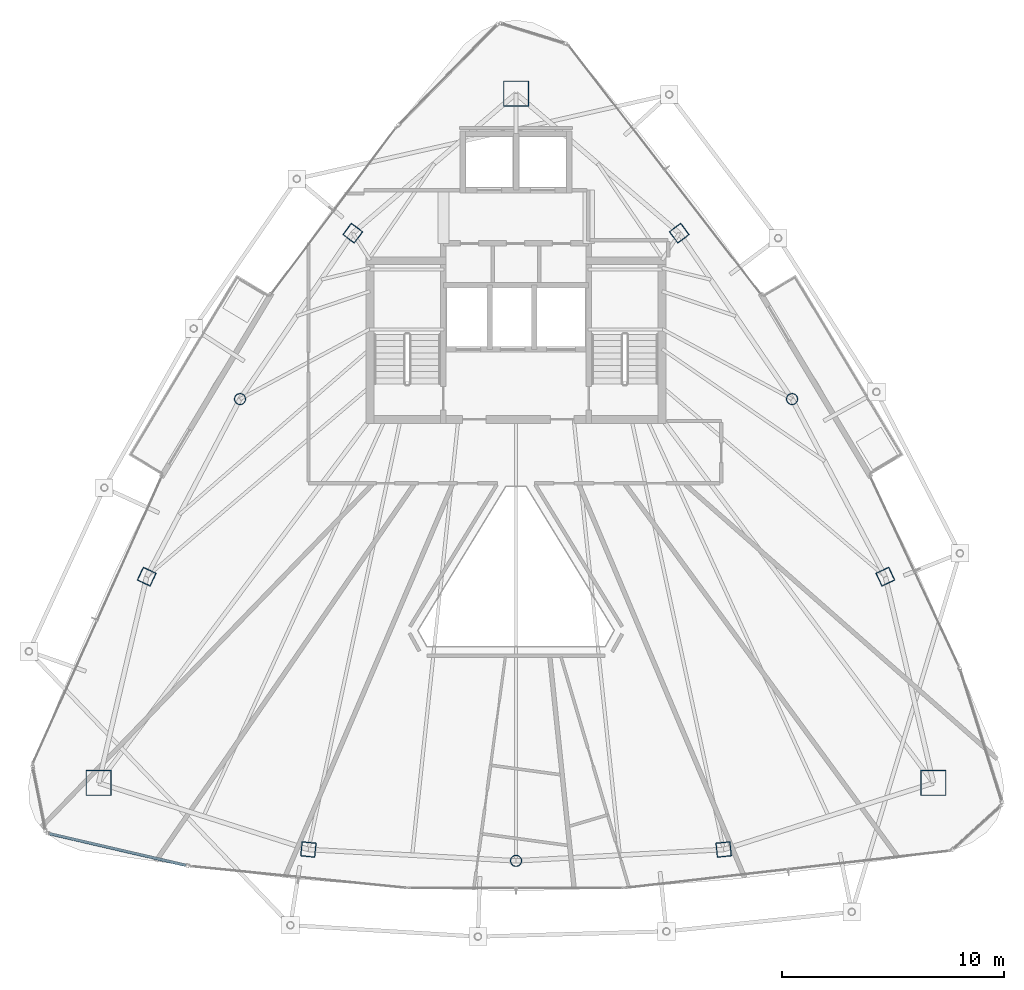
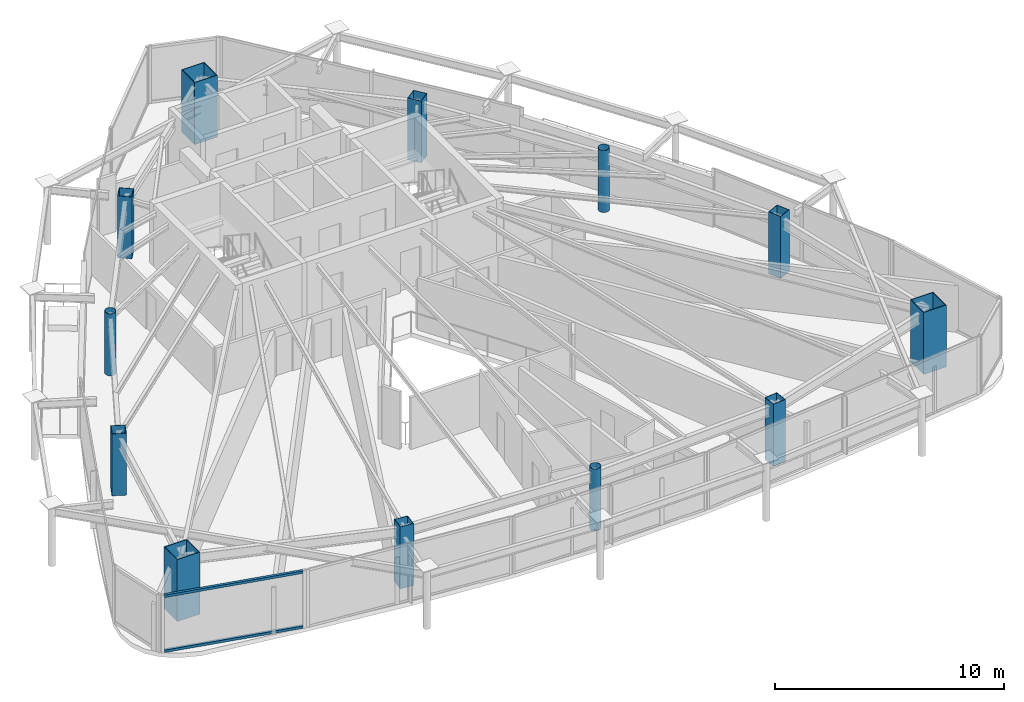
# One storey, part 1 of 28: 12 columns, 2 members, 1 element without a shape of its own.
"""IFC4 building model written with IfcOpenShell, lengths in metres."""

from ifc_helpers import new_model, si_unit, direction, frame, origin, origin_2d, place, context, subcontext, project, spatial, hollow_rectangle, hollow_circle, extrude, material, layer, layer_set, material_profile, profile_set, type_object, element, aggregate, save


model = new_model("IFC4")

# Units and contexts
model_context = context("Model", 3, precision=1e-05, world=origin(), true_north=direction((0.0, 1.0)))
body_context = subcontext(model_context, "Body", "Model", "MODEL_VIEW")
ifc_project = project(units=[si_unit("LENGTHUNIT", "METRE"), si_unit("AREAUNIT", "SQUARE_METRE"), si_unit("VOLUMEUNIT", "CUBIC_METRE"), si_unit("PLANEANGLEUNIT", "RADIAN"), si_unit("MASSUNIT", "GRAM", prefix="KILO")], contexts=[model_context])

# Site, building, storey
site_placement = place(None, origin())
site = spatial("IfcSite", under=ifc_project, at=site_placement, CompositionType="ELEMENT")
building_placement = place(site_placement, origin())
building = spatial("IfcBuilding", under=site, at=building_placement, Name="Orvanel Arch Residences", CompositionType="ELEMENT")
storey_placement = place(building_placement, frame((0.0, 0.0, 266.75)))
storey = spatial("IfcBuildingStorey", under=building, at=storey_placement, Name="L76", CompositionType="ELEMENT", Elevation=266.75)

# Columns
ifc_material_1 = material(Name="Structural steel AS/NZS 1163 C350L0 (Grade 350)", Category="steel")
ifc_material_profile_1 = material_profile(ifc_material_1, hollow_circle(Radius=0.25390625, WallThickness=0.01611328125, at=origin_2d()), Name="CHS508x16")
ifc_profile_set_1 = profile_set([ifc_material_profile_1], Name="Structural steel AS/NZS 1163 C350L0 (Grade 350)")
column_type_1 = type_object("IfcColumnType", Name="CC-508", PredefinedType="COLUMN", material=ifc_profile_set_1)
for number, where, z_axis, x_axis, name in (
    (1, (20.569091796875, 27.64111328125, 0.0), (0.0, 0.0, 1.0), (1.0, 0.0, 0.0), "L76 High-Rise Tube Column 02"),
    (2, (33.0, 6.843994140625, 0.0), (0.0, 0.0, 1.0), (1.0, 0.0, 0.0), "L76 High-Rise Tube Column 05"),
    (3, (45.430908203125, 27.64111328125, 0.0), (0.0, 0.0, 1.0), (1.0, 0.0, 0.0), "L76 High-Rise Tube Column 08"),
):
    element("IfcColumn", number, at=place(storey_placement, frame(where, z_axis=z_axis, x_axis=x_axis)), inside=storey, type_object=column_type_1, Name=name, PredefinedType="COLUMN", context=body_context, shape_type="SweptSolid", body=[
        extrude(hollow_circle(Radius=0.25390625, WallThickness=0.01611328125, at=origin_2d()), origin(), (0.0, 0.0, 1.0), 3.300048828125),
    ])
ifc_material_2 = material(Name="Structural steel AS/NZS 3678 Grade 450", Category="steel")
ifc_material_profile_2 = material_profile(ifc_material_2, hollow_rectangle(XDim=1.14990234375, YDim=1.14990234375, WallThickness=0.035888671875, at=origin_2d()), Name="BOX1150x1150x36")
ifc_profile_set_2 = profile_set([ifc_material_profile_2], Name="Structural steel AS/NZS 3678 Grade 450")
column_type_2 = type_object("IfcColumnType", Name="MC-1150", PredefinedType="COLUMN", material=ifc_profile_set_2)
for number, where, z_axis, x_axis, name in (
    (4, (33.0, 41.39794921875, 0.0), (0.0, 0.0, 1.0), (1.0, 0.0, 0.0), "L76 Corner Mega-Column 1"),
    (5, (14.198974609375, 10.35107421875, 0.0), (0.0, 0.0, 1.0), (1.0, 0.0, 0.0), "L76 Corner Mega-Column 2"),
    (6, (51.801025390625, 10.35107421875, 0.0), (0.0, 0.0, 1.0), (1.0, 0.0, 0.0), "L76 Corner Mega-Column 3"),
):
    element("IfcColumn", number, at=place(storey_placement, frame(where, z_axis=z_axis, x_axis=x_axis)), inside=storey, type_object=column_type_2, Name=name, PredefinedType="COLUMN", context=body_context, shape_type="SweptSolid", body=[
        extrude(hollow_rectangle(XDim=1.14990234375, YDim=1.14990234375, WallThickness=0.035888671875, at=origin_2d()), origin(), (0.0, 0.0, 1.0), 3.300048828125),
    ])
ifc_material_3 = material(Name="Structural steel AS/NZS 3678 Grade 350", Category="steel")
ifc_material_profile_3 = material_profile(ifc_material_3, hollow_rectangle(XDim=0.64990234375, YDim=0.64990234375, WallThickness=0.02197265625, at=origin_2d()), Name="BOX650x650x22")
ifc_profile_set_3 = profile_set([ifc_material_profile_3], Name="Structural steel AS/NZS 3678 Grade 350")
column_type_3 = type_object("IfcColumnType", Name="TC-650", PredefinedType="COLUMN", material=ifc_profile_set_3)
for number, where, z_axis, x_axis, name in (
    (7, (25.64794921875, 35.113037109375, 0.0), (0.0, 0.0, 1.0), (0.600420225326, 0.799684658487, 0.0), "L76 High-Rise Tube Column 01"),
    (8, (16.366943359375, 19.64208984375, 0.0), (0.0, 0.0, 1.0), (0.422618261741, 0.906307787037, 0.0), "L76 High-Rise Tube Column 03"),
    (9, (23.64892578125, 7.35498046875, 0.0), (0.0, 0.0, 1.0), (-0.994880708829, 0.101056297183, 0.0), "L76 High-Rise Tube Column 04"),
    (10, (42.35107421875, 7.35498046875, 0.0), (0.0, 0.0, 1.0), (0.994880708829, 0.101056297183, 0.0), "L76 High-Rise Tube Column 06"),
    (11, (49.633056640625, 19.64208984375, 0.0), (0.0, 0.0, 1.0), (-0.422618261741, 0.906307787037, 0.0), "L76 High-Rise Tube Column 07"),
    (12, (40.35205078125, 35.113037109375, 0.0), (0.0, 0.0, 1.0), (-0.600420225326, 0.799684658487, 0.0), "L76 High-Rise Tube Column 09"),
):
    element("IfcColumn", number, at=place(storey_placement, frame(where, z_axis=z_axis, x_axis=x_axis)), inside=storey, type_object=column_type_3, Name=name, PredefinedType="COLUMN", context=body_context, shape_type="SweptSolid", body=[
        extrude(hollow_rectangle(XDim=0.64990234375, YDim=0.64990234375, WallThickness=0.02197265625, at=origin_2d()), origin(), (0.0, 0.0, 1.0), 3.300048828125),
    ])

# Curtain wall, members
ifc_material_4 = material(Name="Bronze-anodised aluminium AA6063-T6", Category="aluminium")
ifc_layer = layer(ifc_material_4, 0.18994140625)
ifc_layer_set = layer_set([ifc_layer], Name="Bronze-anodised aluminium AA6063-T6")
curtain_wall_type = type_object("IfcCurtainWallType", Name="CW5-CRN-SYS", PredefinedType="NOTDEFINED", material=ifc_layer_set)
curtain_wall_placement = place(storey_placement, origin())
curtain_wall = element("IfcCurtainWall", 13, at=curtain_wall_placement, inside=storey, type_object=curtain_wall_type, Name="L76 CW5-CRN-SYS Unitised Curtain Wall", PredefinedType="NOTDEFINED")
ifc_material_profile_4 = material_profile(ifc_material_4, hollow_rectangle(XDim=0.1298828125, YDim=0.1298828125, WallThickness=0.00439453125, at=origin_2d()), Name="ALU130x130x4.5")
ifc_profile_set_4 = profile_set([ifc_material_profile_4], Name="Bronze-anodised aluminium AA6063-T6")
member_type = type_object("IfcMemberType", Name="TRN-130x130", PredefinedType="USERDEFINED", material=ifc_profile_set_4)
member_1_placement = place(storey_placement, frame((11.983154296875, 8.070068359375, 0.06494140625), z_axis=(0.974143576085, -0.22592984126, 0.0), x_axis=(0.22592984126, 0.974143576085, 0.0)))
member_1 = element("IfcMember", 14, at=member_1_placement, type_object=member_type, Name="CW-S5 transom 1.1", ObjectType="TRANSOM", PredefinedType="USERDEFINED", context=body_context, shape_type="SweptSolid", body=[
    extrude(hollow_rectangle(XDim=0.1298828125, YDim=0.1298828125, WallThickness=0.00439453125, at=origin_2d()), origin(), (0.0, 0.0, 1.0), 6.31298828125),
])
member_2_placement = place(storey_placement, frame((11.983154296875, 8.070068359375, 2.9951171875), z_axis=(0.974143576085, -0.22592984126, 0.0), x_axis=(0.22592984126, 0.974143576085, 0.0)))
member_2 = element("IfcMember", 15, at=member_2_placement, type_object=member_type, Name="CW-S5 transom 1.2", ObjectType="TRANSOM", PredefinedType="USERDEFINED", context=body_context, shape_type="SweptSolid", body=[
    extrude(hollow_rectangle(XDim=0.1298828125, YDim=0.1298828125, WallThickness=0.00439453125, at=origin_2d()), origin(), (0.0, 0.0, 1.0), 6.31298828125),
])
aggregate(curtain_wall, [member_1, member_2])

save(model, "model.ifc")
